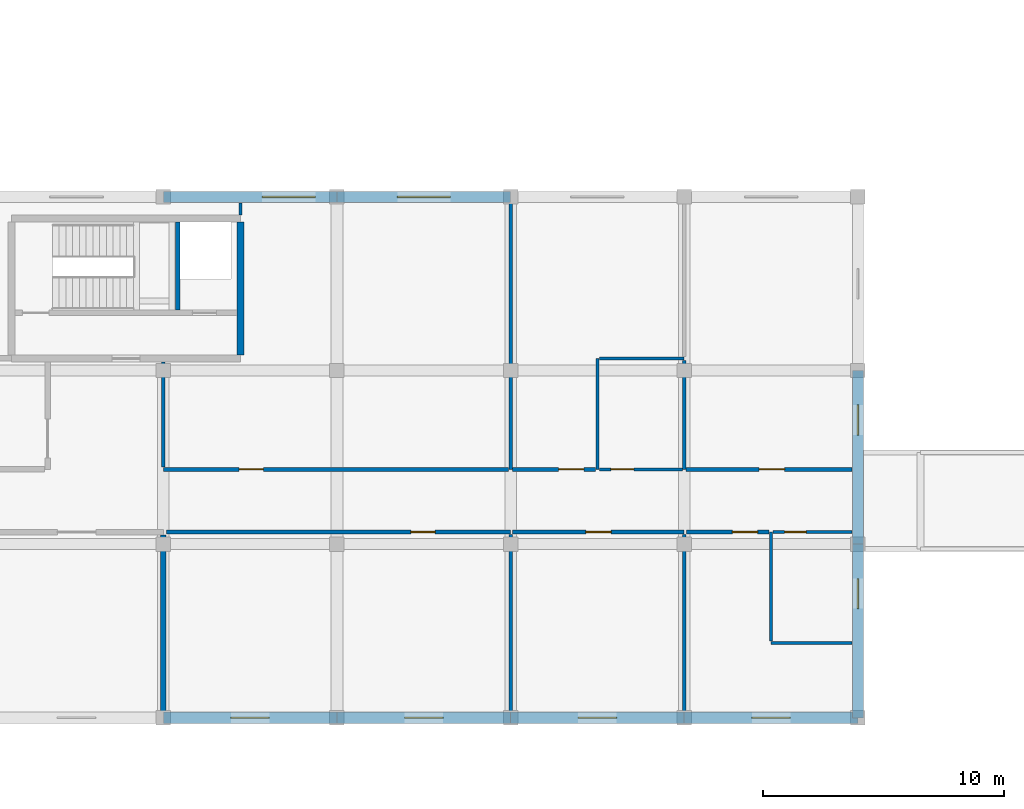
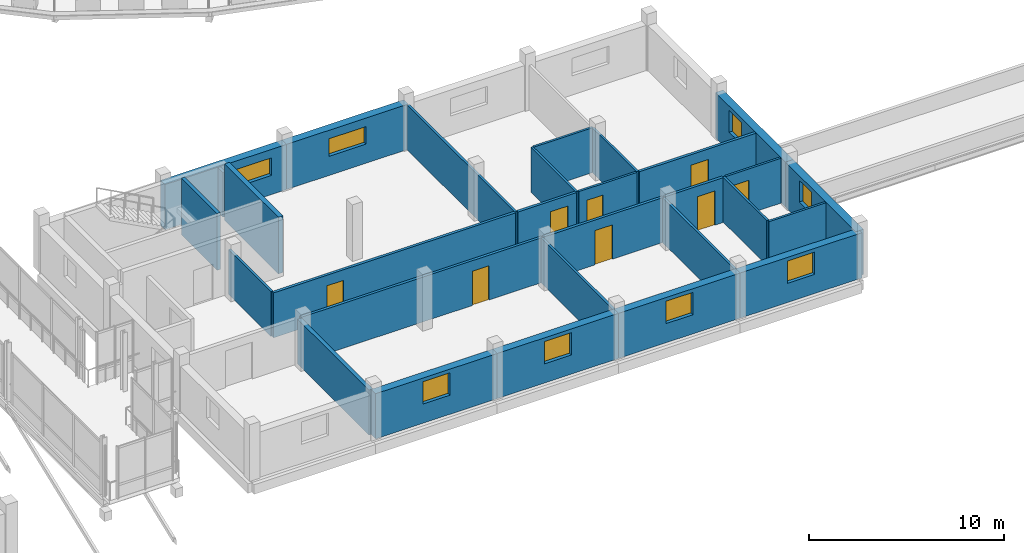
# One storey, part 110 of 128: 29 walls, 8 doors, 8 windows, 16 openings.
"""IFC4 building model written with IfcOpenShell, lengths in metres."""

from ifc_helpers import new_model, si_unit, direction, frame, frame_2d, origin, place, context, subcontext, project, spatial, rectangle, extrude, material, layer, layer_set, type_object, element, fill, save


model = new_model("IFC4")

# Units and contexts
model_context = context("Model", 3, precision=1e-05, world=origin(), true_north=direction((0.0, 1.0)))
body_context = subcontext(model_context, "Body", "Model", "MODEL_VIEW")
ifc_project = project(units=[si_unit("LENGTHUNIT", "METRE"), si_unit("AREAUNIT", "SQUARE_METRE"), si_unit("VOLUMEUNIT", "CUBIC_METRE"), si_unit("PLANEANGLEUNIT", "RADIAN"), si_unit("MASSUNIT", "GRAM", prefix="KILO")], contexts=[model_context])

# Site, building, storey
site_placement = place(None, origin())
site = spatial("IfcSite", under=ifc_project, at=site_placement, CompositionType="ELEMENT")
building_placement = place(site_placement, origin())
building = spatial("IfcBuilding", under=site, at=building_placement, Name="Zornivar Specialist Clinic", CompositionType="ELEMENT")
storey_placement = place(building_placement, frame((0.0, 0.0, 4.5)))
storey = spatial("IfcBuildingStorey", under=building, at=storey_placement, Name="L01", CompositionType="ELEMENT", Elevation=4.5)

# Wall, opening, window
ifc_material_1 = material(Name="Barium-shielded concrete C35/45", Category="concrete")
ifc_layer_1 = layer(ifc_material_1, 0.4599609375)
ifc_layer_set_1 = layer_set([ifc_layer_1], Name="Barium-shielded concrete C35/45")
wall_type_1 = type_object("IfcWallType", Name="EW-IMG-SHIELD-460", PredefinedType="SOLIDWALL", material=ifc_layer_set_1)
wall_1_placement = place(storey_placement, frame((64.800048828125, 0.0, 0.0), z_axis=(0.0, 0.0, 1.0), x_axis=(1.0, 0.0, 0.0)))
wall_1 = element("IfcWall", 1, at=wall_1_placement, inside=storey, type_object=wall_type_1, Name="ew:V3:L01:01", PredefinedType="SOLIDWALL", context=body_context, shape_type="SweptSolid", body=[
    extrude(rectangle(XDim=7.199951171875, YDim=0.4599609375, at=frame_2d((3.60009765625, 0.0))), origin(), (0.0, 0.0, 1.0), 2.830078125),
])
opening_1_placement = place(wall_1_placement, frame((2.800048828125, 0.0, 1.199951171875)))
opening_1 = element("IfcOpeningElement", 2, at=opening_1_placement, cuts=wall_1, Name="Opening W-12", PredefinedType="OPENING", context=body_context, shape_type="SweptSolid", body=[
    extrude(rectangle(XDim=1.60009765625, YDim=1.39990234375, at=frame_2d((0.800048828125, 0.699951171875))), frame((0.0, 0.239990234375, 0.0), z_axis=(0.0, -1.0, 0.0), x_axis=(1.0, 0.0, 0.0)), (0.0, 0.0, 1.0), 0.47998046875),
])
ifc_material_2 = material(Name="Triple-Glazed Aluminium-Timber Window Glass", Category="wood")
window_type_1 = type_object("IfcWindowType", Name="WIN-IMG-SOUTH-1600x1400", PartitioningType="SINGLE_PANEL", PredefinedType="WINDOW", material=ifc_material_2)
window_1_placement = place(opening_1_placement, origin())
window_1 = element("IfcWindow", 3, at=window_1_placement, inside=storey, type_object=window_type_1, Name="win:V3:L01:01", OverallHeight=1.39990234375, OverallWidth=1.60009765625, PartitioningType="SINGLE_PANEL", PredefinedType="WINDOW", context=body_context, shape_type="SweptSolid", body=[
    extrude(rectangle(XDim=1.60009765625, YDim=1.39990234375, at=frame_2d((0.800048828125, 0.699951171875))), frame((0.0, 0.030029296875, 0.0), z_axis=(0.0, -1.0, 0.0), x_axis=(1.0, 0.0, 0.0)), (0.0, 0.0, 1.0), 0.06005859375),
])
fill(opening_1, window_1)

wall_2_placement = place(storey_placement, frame((72.0, 0.0, 0.0), z_axis=(0.0, 0.0, 1.0), x_axis=(1.0, 0.0, 0.0)))
wall_2 = element("IfcWall", 4, at=wall_2_placement, inside=storey, type_object=wall_type_1, Name="ew:V3:L01:02", PredefinedType="SOLIDWALL", context=body_context, shape_type="SweptSolid", body=[
    extrude(rectangle(XDim=7.199951171875, YDim=0.4599609375, at=frame_2d((3.60009765625, 0.0))), origin(), (0.0, 0.0, 1.0), 2.830078125),
])
opening_2_placement = place(wall_2_placement, frame((2.800048828125, 0.0, 1.199951171875)))
opening_2 = element("IfcOpeningElement", 5, at=opening_2_placement, cuts=wall_2, Name="Opening W-12", PredefinedType="OPENING", context=body_context, shape_type="SweptSolid", body=[
    extrude(rectangle(XDim=1.60009765625, YDim=1.39990234375, at=frame_2d((0.800048828125, 0.699951171875))), frame((0.0, 0.239990234375, 0.0), z_axis=(0.0, -1.0, 0.0), x_axis=(1.0, 0.0, 0.0)), (0.0, 0.0, 1.0), 0.47998046875),
])
window_2_placement = place(opening_2_placement, origin())
window_2 = element("IfcWindow", 6, at=window_2_placement, inside=storey, type_object=window_type_1, Name="win:V3:L01:02", OverallHeight=1.39990234375, OverallWidth=1.60009765625, PartitioningType="SINGLE_PANEL", PredefinedType="WINDOW", context=body_context, shape_type="SweptSolid", body=[
    extrude(rectangle(XDim=1.60009765625, YDim=1.39990234375, at=frame_2d((0.800048828125, 0.699951171875))), frame((0.0, 0.030029296875, 0.0), z_axis=(0.0, -1.0, 0.0), x_axis=(1.0, 0.0, 0.0)), (0.0, 0.0, 1.0), 0.06005859375),
])
fill(opening_2, window_2)

wall_3_placement = place(storey_placement, frame((79.199951171875, 0.0, 0.0), z_axis=(0.0, 0.0, 1.0), x_axis=(1.0, 0.0, 0.0)))
wall_3 = element("IfcWall", 7, at=wall_3_placement, inside=storey, type_object=wall_type_1, Name="ew:V3:L01:03", PredefinedType="SOLIDWALL", context=body_context, shape_type="SweptSolid", body=[
    extrude(rectangle(XDim=7.199951171875, YDim=0.4599609375, at=frame_2d((3.60009765625, 0.0))), origin(), (0.0, 0.0, 1.0), 2.830078125),
])
opening_3_placement = place(wall_3_placement, frame((2.800048828125, 0.0, 1.199951171875)))
opening_3 = element("IfcOpeningElement", 8, at=opening_3_placement, cuts=wall_3, Name="Opening W-12", PredefinedType="OPENING", context=body_context, shape_type="SweptSolid", body=[
    extrude(rectangle(XDim=1.60009765625, YDim=1.39990234375, at=frame_2d((0.800048828125, 0.699951171875))), frame((0.0, 0.239990234375, 0.0), z_axis=(0.0, -1.0, 0.0), x_axis=(1.0, 0.0, 0.0)), (0.0, 0.0, 1.0), 0.47998046875),
])
window_3_placement = place(opening_3_placement, origin())
window_3 = element("IfcWindow", 9, at=window_3_placement, inside=storey, type_object=window_type_1, Name="win:V3:L01:03", OverallHeight=1.39990234375, OverallWidth=1.60009765625, PartitioningType="SINGLE_PANEL", PredefinedType="WINDOW", context=body_context, shape_type="SweptSolid", body=[
    extrude(rectangle(XDim=1.60009765625, YDim=1.39990234375, at=frame_2d((0.800048828125, 0.699951171875))), frame((0.0, 0.030029296875, 0.0), z_axis=(0.0, -1.0, 0.0), x_axis=(1.0, 0.0, 0.0)), (0.0, 0.0, 1.0), 0.06005859375),
])
fill(opening_3, window_3)

wall_4_placement = place(storey_placement, frame((86.39990234375, 0.0, 0.0), z_axis=(0.0, 0.0, 1.0), x_axis=(1.0, 0.0, 0.0)))
wall_4 = element("IfcWall", 10, at=wall_4_placement, inside=storey, type_object=wall_type_1, Name="ew:V3:L01:04", PredefinedType="SOLIDWALL", context=body_context, shape_type="SweptSolid", body=[
    extrude(rectangle(XDim=7.2001953125, YDim=0.4599609375, at=frame_2d((3.60009765625, 0.0))), origin(), (0.0, 0.0, 1.0), 2.830078125),
])
opening_4_placement = place(wall_4_placement, frame((2.800048828125, 0.0, 1.199951171875)))
opening_4 = element("IfcOpeningElement", 11, at=opening_4_placement, cuts=wall_4, Name="Opening W-12", PredefinedType="OPENING", context=body_context, shape_type="SweptSolid", body=[
    extrude(rectangle(XDim=1.60009765625, YDim=1.39990234375, at=frame_2d((0.800048828125, 0.699951171875))), frame((0.0, 0.239990234375, 0.0), z_axis=(0.0, -1.0, 0.0), x_axis=(1.0, 0.0, 0.0)), (0.0, 0.0, 1.0), 0.47998046875),
])
window_4_placement = place(opening_4_placement, origin())
window_4 = element("IfcWindow", 12, at=window_4_placement, inside=storey, type_object=window_type_1, Name="win:V3:L01:04", OverallHeight=1.39990234375, OverallWidth=1.60009765625, PartitioningType="SINGLE_PANEL", PredefinedType="WINDOW", context=body_context, shape_type="SweptSolid", body=[
    extrude(rectangle(XDim=1.60009765625, YDim=1.39990234375, at=frame_2d((0.800048828125, 0.699951171875))), frame((0.0, 0.030029296875, 0.0), z_axis=(0.0, -1.0, 0.0), x_axis=(1.0, 0.0, 0.0)), (0.0, 0.0, 1.0), 0.06005859375),
])
fill(opening_4, window_4)

wall_5_placement = place(storey_placement, frame((93.60009765625, 0.0, 0.0), z_axis=(0.0, 0.0, 1.0), x_axis=(0.0, 1.0, 0.0)))
wall_5 = element("IfcWall", 13, at=wall_5_placement, inside=storey, type_object=wall_type_1, Name="ew:V3:L01:05", PredefinedType="SOLIDWALL", context=body_context, shape_type="SweptSolid", body=[
    extrude(rectangle(XDim=7.199951171875, YDim=0.4599609375, at=frame_2d((3.60009765625, 0.0))), origin(), (0.0, 0.0, 1.0), 2.830078125),
])
opening_5_placement = place(wall_5_placement, frame((4.52490234375, 0.0, 1.199951171875)))
opening_5 = element("IfcOpeningElement", 14, at=opening_5_placement, cuts=wall_5, Name="Opening W-14", PredefinedType="OPENING", context=body_context, shape_type="SweptSolid", body=[
    extrude(rectangle(XDim=1.25, YDim=1.35009765625, at=frame_2d((0.625, 0.675048828125))), frame((0.0, 0.239990234375, 0.0), z_axis=(0.0, -1.0, 0.0), x_axis=(1.0, 0.0, 0.0)), (0.0, 0.0, 1.0), 0.47998046875),
])
ifc_material_3 = material(Name="Triple-Glazed Aluminium-Timber Window Glass", Category="wood")
window_type_2 = type_object("IfcWindowType", Name="WIN-IMG-CTRL-1250x1350", PartitioningType="SINGLE_PANEL", PredefinedType="WINDOW", material=ifc_material_3)
window_5_placement = place(opening_5_placement, origin())
window_5 = element("IfcWindow", 15, at=window_5_placement, inside=storey, type_object=window_type_2, Name="win:V3:L01:05", OverallHeight=1.35009765625, OverallWidth=1.25, PartitioningType="SINGLE_PANEL", PredefinedType="WINDOW", context=body_context, shape_type="SweptSolid", body=[
    extrude(rectangle(XDim=1.25, YDim=1.35009765625, at=frame_2d((0.625, 0.675048828125))), frame((0.0, 0.030029296875, 0.0), z_axis=(0.0, -1.0, 0.0), x_axis=(1.0, 0.0, 0.0)), (0.0, 0.0, 1.0), 0.06005859375),
])
fill(opening_5, window_5)

wall_6_placement = place(storey_placement, frame((93.60009765625, 7.199951171875, 0.0), z_axis=(0.0, 0.0, 1.0), x_axis=(0.0, 1.0, 0.0)))
wall_6 = element("IfcWall", 16, at=wall_6_placement, inside=storey, type_object=wall_type_1, Name="ew:V3:L01:06", PredefinedType="SOLIDWALL", context=body_context, shape_type="SweptSolid", body=[
    extrude(rectangle(XDim=7.199951171875, YDim=0.4599609375, at=frame_2d((3.60009765625, 0.0))), origin(), (0.0, 0.0, 1.0), 2.830078125),
])
opening_6_placement = place(wall_6_placement, frame((4.52490234375, 0.0, 1.199951171875)))
opening_6 = element("IfcOpeningElement", 17, at=opening_6_placement, cuts=wall_6, Name="Opening W-14", PredefinedType="OPENING", context=body_context, shape_type="SweptSolid", body=[
    extrude(rectangle(XDim=1.25, YDim=1.35009765625, at=frame_2d((0.625, 0.675048828125))), frame((0.0, 0.239990234375, 0.0), z_axis=(0.0, -1.0, 0.0), x_axis=(1.0, 0.0, 0.0)), (0.0, 0.0, 1.0), 0.47998046875),
])
window_6_placement = place(opening_6_placement, origin())
window_6 = element("IfcWindow", 18, at=window_6_placement, inside=storey, type_object=window_type_2, Name="win:V3:L01:06", OverallHeight=1.35009765625, OverallWidth=1.25, PartitioningType="SINGLE_PANEL", PredefinedType="WINDOW", context=body_context, shape_type="SweptSolid", body=[
    extrude(rectangle(XDim=1.25, YDim=1.35009765625, at=frame_2d((0.625, 0.675048828125))), frame((0.0, 0.030029296875, 0.0), z_axis=(0.0, -1.0, 0.0), x_axis=(1.0, 0.0, 0.0)), (0.0, 0.0, 1.0), 0.06005859375),
])
fill(opening_6, window_6)

wall_7_placement = place(storey_placement, frame((79.199951171875, 21.60009765625, 0.0), z_axis=(0.0, 0.0, 1.0), x_axis=(-1.0, 0.0, 0.0)))
wall_7 = element("IfcWall", 19, at=wall_7_placement, inside=storey, type_object=wall_type_1, Name="ew:V3:L01:10", PredefinedType="SOLIDWALL", context=body_context, shape_type="SweptSolid", body=[
    extrude(rectangle(XDim=7.199951171875, YDim=0.4599609375, at=frame_2d((3.60009765625, 0.0))), origin(), (0.0, 0.0, 1.0), 2.830078125),
])
opening_7_placement = place(wall_7_placement, frame((2.5, 0.0, 1.199951171875)))
opening_7 = element("IfcOpeningElement", 20, at=opening_7_placement, cuts=wall_7, Name="Opening W-13", PredefinedType="OPENING", context=body_context, shape_type="SweptSolid", body=[
    extrude(rectangle(XDim=2.199951171875, YDim=1.10009765625, at=frame_2d((1.10009765625, 0.550048828125))), frame((0.0, 0.239990234375, 0.0), z_axis=(0.0, -1.0, 0.0), x_axis=(1.0, 0.0, 0.0)), (0.0, 0.0, 1.0), 0.47998046875),
])
ifc_material_4 = material(Name="Triple-Glazed Aluminium-Timber Window Glass", Category="wood")
window_type_3 = type_object("IfcWindowType", Name="WIN-IMG-CLER-2200x1100", PartitioningType="SINGLE_PANEL", PredefinedType="WINDOW", material=ifc_material_4)
window_7_placement = place(opening_7_placement, origin())
window_7 = element("IfcWindow", 21, at=window_7_placement, inside=storey, type_object=window_type_3, Name="win:V3:L01:10", OverallHeight=1.10009765625, OverallWidth=2.199951171875, PartitioningType="SINGLE_PANEL", PredefinedType="WINDOW", context=body_context, shape_type="SweptSolid", body=[
    extrude(rectangle(XDim=2.199951171875, YDim=1.10009765625, at=frame_2d((1.10009765625, 0.550048828125))), frame((0.0, 0.030029296875, 0.0), z_axis=(0.0, -1.0, 0.0), x_axis=(1.0, 0.0, 0.0)), (0.0, 0.0, 1.0), 0.06005859375),
])
fill(opening_7, window_7)

wall_8_placement = place(storey_placement, frame((72.0, 21.60009765625, 0.0), z_axis=(0.0, 0.0, 1.0), x_axis=(-1.0, 0.0, 0.0)))
wall_8 = element("IfcWall", 22, at=wall_8_placement, inside=storey, type_object=wall_type_1, Name="ew:V3:L01:11", PredefinedType="SOLIDWALL", context=body_context, shape_type="SweptSolid", body=[
    extrude(rectangle(XDim=7.199951171875, YDim=0.4599609375, at=frame_2d((3.60009765625, 0.0))), origin(), (0.0, 0.0, 1.0), 2.830078125),
])
opening_8_placement = place(wall_8_placement, frame((0.89990234375, 0.0, 1.199951171875)))
opening_8 = element("IfcOpeningElement", 23, at=opening_8_placement, cuts=wall_8, Name="Opening W-13", PredefinedType="OPENING", context=body_context, shape_type="SweptSolid", body=[
    extrude(rectangle(XDim=2.199951171875, YDim=1.10009765625, at=frame_2d((1.10009765625, 0.550048828125))), frame((0.0, 0.239990234375, 0.0), z_axis=(0.0, -1.0, 0.0), x_axis=(1.0, 0.0, 0.0)), (0.0, 0.0, 1.0), 0.47998046875),
])
window_8_placement = place(opening_8_placement, origin())
window_8 = element("IfcWindow", 24, at=window_8_placement, inside=storey, type_object=window_type_3, Name="win:V3:L01:11", OverallHeight=1.10009765625, OverallWidth=2.199951171875, PartitioningType="SINGLE_PANEL", PredefinedType="WINDOW", context=body_context, shape_type="SweptSolid", body=[
    extrude(rectangle(XDim=2.199951171875, YDim=1.10009765625, at=frame_2d((1.10009765625, 0.550048828125))), frame((0.0, 0.030029296875, 0.0), z_axis=(0.0, -1.0, 0.0), x_axis=(1.0, 0.0, 0.0)), (0.0, 0.0, 1.0), 0.06005859375),
])
fill(opening_8, window_8)

# Walls
ifc_material_5 = material(Name="Acoustic Clinical Stud Partition")
ifc_layer_2 = layer(ifc_material_5, 0.139892578125)
ifc_layer_set_2 = layer_set([ifc_layer_2], Name="Acoustic Clinical Stud Partition")
wall_type_2 = type_object("IfcWallType", Name="IW-CLIN-140", PredefinedType="PARTITIONING", material=ifc_layer_set_2)
wall_9_placement = place(storey_placement, frame((79.199951171875, 7.60595703125, 0.0), z_axis=(0.0, 0.0, 1.0), x_axis=(0.0, -1.0, 0.0)))
element("IfcWall", 25, at=wall_9_placement, inside=storey, type_object=wall_type_2, Name="iw:L01:097", PredefinedType="PARTITIONING", context=body_context, shape_type="SweptSolid", body=[
    extrude(rectangle(XDim=7.36083984375, YDim=0.139892578125, at=frame_2d((3.680419921875, 0.0))), origin(), (0.0, 0.0, 1.0), 2.81005859375),
])
wall_10_placement = place(storey_placement, frame((79.199951171875, 21.35498046875, 0.0), z_axis=(0.0, 0.0, 1.0), x_axis=(0.0, -1.0, 0.0)))
element("IfcWall", 26, at=wall_10_placement, inside=storey, type_object=wall_type_2, Name="iw:L01:098", PredefinedType="PARTITIONING", context=body_context, shape_type="SweptSolid", body=[
    extrude(rectangle(XDim=11.054931640625, YDim=0.139892578125, at=frame_2d((5.52734375, 0.0))), origin(), (0.0, 0.0, 1.0), 2.81005859375),
])
wall_11_placement = place(storey_placement, frame((64.800048828125, 10.39404296875, 0.0), z_axis=(0.0, 0.0, 1.0), x_axis=(0.0, 1.0, 0.0)))
element("IfcWall", 27, at=wall_11_placement, inside=storey, type_object=wall_type_2, Name="iw:L01:100", PredefinedType="PARTITIONING", context=body_context, shape_type="SweptSolid", body=[
    extrude(rectangle(XDim=4.35107421875, YDim=0.139892578125, at=frame_2d((2.175537109375, 0.0))), origin(), (0.0, 0.0, 1.0), 2.81005859375),
])
wall_12_placement = place(storey_placement, frame((68.0, 20.85498046875, 0.0), z_axis=(0.0, 0.0, 1.0), x_axis=(0.0, 1.0, 0.0)))
element("IfcWall", 28, at=wall_12_placement, inside=storey, type_object=wall_type_2, Name="iw:L01:101", PredefinedType="PARTITIONING", context=body_context, shape_type="SweptSolid", body=[
    extrude(rectangle(XDim=0.5, YDim=0.139892578125, at=frame_2d((0.25, 0.0))), origin(), (0.0, 0.0, 1.0), 2.81005859375),
])
wall_13_placement = place(storey_placement, frame((86.39990234375, 7.60595703125, 0.0), z_axis=(0.0, 0.0, 1.0), x_axis=(0.0, -1.0, 0.0)))
element("IfcWall", 29, at=wall_13_placement, inside=storey, type_object=wall_type_2, Name="iw:L01:103", PredefinedType="PARTITIONING", context=body_context, shape_type="SweptSolid", body=[
    extrude(rectangle(XDim=7.36083984375, YDim=0.139892578125, at=frame_2d((3.680419921875, 0.0))), origin(), (0.0, 0.0, 1.0), 2.81005859375),
])

# Wall, opening, door
ifc_material_6 = material(Name="Gypsum Fire-Rated Double Stud Partition")
ifc_layer_3 = layer(ifc_material_6, 0.159912109375)
ifc_layer_set_3 = layer_set([ifc_layer_3], Name="Gypsum Fire-Rated Double Stud Partition")
wall_type_3 = type_object("IfcWallType", Name="IW-CORR-EI60-160", PredefinedType="PARTITIONING", material=ifc_layer_set_3)
wall_14_placement = place(storey_placement, frame((64.928955078125, 7.699951171875, 0.0), z_axis=(0.0, 0.0, 1.0), x_axis=(1.0, 0.0, 0.0)))
wall_14 = element("IfcWall", 30, at=wall_14_placement, inside=storey, type_object=wall_type_3, Name="iw:L01:096", PredefinedType="PARTITIONING", context=body_context, shape_type="SweptSolid", body=[
    extrude(rectangle(XDim=14.27099609375, YDim=0.159912109375, at=frame_2d((7.135498046875, 0.0))), origin(), (0.0, 0.0, 1.0), 2.81005859375),
])
opening_9_placement = place(wall_14_placement, frame((10.135986328125, 0.0, 0.0)))
opening_9 = element("IfcOpeningElement", 31, at=opening_9_placement, cuts=wall_14, Name="Opening ID-04", PredefinedType="OPENING", context=body_context, shape_type="SweptSolid", body=[
    extrude(rectangle(XDim=1.0, YDim=2.14990234375, at=frame_2d((0.5, 1.074951171875))), frame((0.0, 0.08984375, 0.0), z_axis=(0.0, -1.0, 0.0), x_axis=(1.0, 0.0, 0.0)), (0.0, 0.0, 1.0), 0.179931640625),
])
ifc_material_7 = material(Name="Solid-Core Hygienic Laminate Timber Door", Category="wood")
door_type_1 = type_object("IfcDoorType", Name="ID-EXAM-1000x2150", OperationType="NOTDEFINED", PredefinedType="DOOR", material=ifc_material_7)
door_1_placement = place(opening_9_placement, origin())
door_1 = element("IfcDoor", 32, at=door_1_placement, inside=storey, type_object=door_type_1, Name="door:space:V3:L01:rm:02", OperationType="SINGLE_SWING_RIGHT", OverallHeight=2.14990234375, OverallWidth=1.0, PredefinedType="DOOR", context=body_context, shape_type="SweptSolid", body=[
    extrude(rectangle(XDim=1.0, YDim=2.14990234375, at=frame_2d((0.5, 1.074951171875))), frame((0.0, 0.02490234375, 0.0), z_axis=(0.0, -1.0, 0.0), x_axis=(1.0, 0.0, 0.0)), (0.0, 0.0, 1.0), 0.050048828125),
])
fill(opening_9, door_1)

wall_15_placement = place(storey_placement, frame((79.115966796875, 10.300048828125, 0.0), z_axis=(0.0, 0.0, 1.0), x_axis=(-1.0, 0.0, 0.0)))
wall_15 = element("IfcWall", 33, at=wall_15_placement, inside=storey, type_object=wall_type_3, Name="iw:L01:099", PredefinedType="PARTITIONING", context=body_context, shape_type="SweptSolid", body=[
    extrude(rectangle(XDim=14.31591796875, YDim=0.159912109375, at=frame_2d((7.157958984375, 0.0))), origin(), (0.0, 0.0, 1.0), 2.81005859375),
])
opening_10_placement = place(wall_15_placement, frame((10.1708984375, 0.0, 0.0)))
opening_10 = element("IfcOpeningElement", 34, at=opening_10_placement, cuts=wall_15, Name="Opening ID-04", PredefinedType="OPENING", context=body_context, shape_type="SweptSolid", body=[
    extrude(rectangle(XDim=1.0, YDim=2.14990234375, at=frame_2d((0.5, 1.074951171875))), frame((0.0, 0.08984375, 0.0), z_axis=(0.0, -1.0, 0.0), x_axis=(1.0, 0.0, 0.0)), (0.0, 0.0, 1.0), 0.179931640625),
])
door_2_placement = place(opening_10_placement, origin())
door_2 = element("IfcDoor", 35, at=door_2_placement, inside=storey, type_object=door_type_1, Name="door:space:V3:L01:rm:03", OperationType="SINGLE_SWING_LEFT", OverallHeight=2.14990234375, OverallWidth=1.0, PredefinedType="DOOR", context=body_context, shape_type="SweptSolid", body=[
    extrude(rectangle(XDim=1.0, YDim=2.14990234375, at=frame_2d((0.5, 1.074951171875))), frame((0.0, 0.02490234375, 0.0), z_axis=(0.0, -1.0, 0.0), x_axis=(1.0, 0.0, 0.0)), (0.0, 0.0, 1.0), 0.050048828125),
])
fill(opening_10, door_2)

wall_16_placement = place(storey_placement, frame((79.283935546875, 7.699951171875, 0.0), z_axis=(0.0, 0.0, 1.0), x_axis=(1.0, 0.0, 0.0)))
wall_16 = element("IfcWall", 36, at=wall_16_placement, inside=storey, type_object=wall_type_3, Name="iw:L01:102", PredefinedType="PARTITIONING", context=body_context, shape_type="SweptSolid", body=[
    extrude(rectangle(XDim=7.115966796875, YDim=0.159912109375, at=frame_2d((3.55810546875, 0.0))), origin(), (0.0, 0.0, 1.0), 2.81005859375),
])
opening_11_placement = place(wall_16_placement, frame((3.032958984375, 0.0, 0.0)))
opening_11 = element("IfcOpeningElement", 37, at=opening_11_placement, cuts=wall_16, Name="Opening ID-03", PredefinedType="OPENING", context=body_context, shape_type="SweptSolid", body=[
    extrude(rectangle(XDim=1.050048828125, YDim=2.14990234375, at=frame_2d((0.52490234375, 1.074951171875))), frame((0.0, 0.08984375, 0.0), z_axis=(0.0, -1.0, 0.0), x_axis=(1.0, 0.0, 0.0)), (0.0, 0.0, 1.0), 0.179931640625),
])
ifc_material_8 = material(Name="Solid-Core Hygienic Laminate Timber Door", Category="wood")
door_type_2 = type_object("IfcDoorType", Name="ID-CONS-1050x2150", OperationType="NOTDEFINED", PredefinedType="DOOR", material=ifc_material_8)
door_3_placement = place(opening_11_placement, origin())
door_3 = element("IfcDoor", 38, at=door_3_placement, inside=storey, type_object=door_type_2, Name="door:space:V3:L01:rm:04", OperationType="SINGLE_SWING_RIGHT", OverallHeight=2.14990234375, OverallWidth=1.050048828125, PredefinedType="DOOR", context=body_context, shape_type="SweptSolid", body=[
    extrude(rectangle(XDim=1.050048828125, YDim=2.14990234375, at=frame_2d((0.52490234375, 1.074951171875))), frame((0.0, 0.02490234375, 0.0), z_axis=(0.0, -1.0, 0.0), x_axis=(1.0, 0.0, 0.0)), (0.0, 0.0, 1.0), 0.050048828125),
])
fill(opening_11, door_3)

wall_17_placement = place(storey_placement, frame((82.720947265625, 10.300048828125, 0.0), z_axis=(0.0, 0.0, 1.0), x_axis=(-1.0, 0.0, 0.0)))
wall_17 = element("IfcWall", 39, at=wall_17_placement, inside=storey, type_object=wall_type_3, Name="iw:L01:108", PredefinedType="PARTITIONING", context=body_context, shape_type="SweptSolid", body=[
    extrude(rectangle(XDim=3.43701171875, YDim=0.159912109375, at=frame_2d((1.718505859375, 0.0))), origin(), (0.0, 0.0, 1.0), 2.81005859375),
])
opening_12_placement = place(wall_17_placement, frame((0.47998046875, 0.0, 0.0)))
opening_12 = element("IfcOpeningElement", 40, at=opening_12_placement, cuts=wall_17, Name="Opening ID-03", PredefinedType="OPENING", context=body_context, shape_type="SweptSolid", body=[
    extrude(rectangle(XDim=1.050048828125, YDim=2.14990234375, at=frame_2d((0.52490234375, 1.074951171875))), frame((0.0, 0.08984375, 0.0), z_axis=(0.0, -1.0, 0.0), x_axis=(1.0, 0.0, 0.0)), (0.0, 0.0, 1.0), 0.179931640625),
])
door_4_placement = place(opening_12_placement, origin())
door_4 = element("IfcDoor", 41, at=door_4_placement, inside=storey, type_object=door_type_2, Name="door:space:V3:L01:rm:05b", OperationType="SINGLE_SWING_RIGHT", OverallHeight=2.14990234375, OverallWidth=1.050048828125, PredefinedType="DOOR", context=body_context, shape_type="SweptSolid", body=[
    extrude(rectangle(XDim=1.050048828125, YDim=2.14990234375, at=frame_2d((0.52490234375, 1.074951171875))), frame((0.0, 0.02490234375, 0.0), z_axis=(0.0, -1.0, 0.0), x_axis=(1.0, 0.0, 0.0)), (0.0, 0.0, 1.0), 0.050048828125),
])
fill(opening_12, door_4)

wall_18_placement = place(storey_placement, frame((86.48388671875, 7.699951171875, 0.0), z_axis=(0.0, 0.0, 1.0), x_axis=(1.0, 0.0, 0.0)))
wall_18 = element("IfcWall", 42, at=wall_18_placement, inside=storey, type_object=wall_type_3, Name="iw:L01:113", PredefinedType="PARTITIONING", context=body_context, shape_type="SweptSolid", body=[
    extrude(rectangle(XDim=3.43701171875, YDim=0.159912109375, at=frame_2d((1.718505859375, 0.0))), origin(), (0.0, 0.0, 1.0), 2.81005859375),
])
opening_13_placement = place(wall_18_placement, frame((1.906982421875, 0.0, 0.0)))
opening_13 = element("IfcOpeningElement", 43, at=opening_13_placement, cuts=wall_18, Name="Opening ID-03", PredefinedType="OPENING", context=body_context, shape_type="SweptSolid", body=[
    extrude(rectangle(XDim=1.050048828125, YDim=2.14990234375, at=frame_2d((0.52490234375, 1.074951171875))), frame((0.0, 0.08984375, 0.0), z_axis=(0.0, -1.0, 0.0), x_axis=(1.0, 0.0, 0.0)), (0.0, 0.0, 1.0), 0.179931640625),
])
door_5_placement = place(opening_13_placement, origin())
door_5 = element("IfcDoor", 44, at=door_5_placement, inside=storey, type_object=door_type_2, Name="door:space:V3:L01:rm:07b", OperationType="SINGLE_SWING_RIGHT", OverallHeight=2.14990234375, OverallWidth=1.050048828125, PredefinedType="DOOR", context=body_context, shape_type="SweptSolid", body=[
    extrude(rectangle(XDim=1.050048828125, YDim=2.14990234375, at=frame_2d((0.52490234375, 1.074951171875))), frame((0.0, 0.02490234375, 0.0), z_axis=(0.0, -1.0, 0.0), x_axis=(1.0, 0.0, 0.0)), (0.0, 0.0, 1.0), 0.050048828125),
])
fill(opening_13, door_5)

wall_19_placement = place(storey_placement, frame((93.35498046875, 10.300048828125, 0.0), z_axis=(0.0, 0.0, 1.0), x_axis=(-1.0, 0.0, 0.0)))
wall_19 = element("IfcWall", 45, at=wall_19_placement, inside=storey, type_object=wall_type_3, Name="iw:L01:114", PredefinedType="PARTITIONING", context=body_context, shape_type="SweptSolid", body=[
    extrude(rectangle(XDim=6.8759765625, YDim=0.159912109375, at=frame_2d((3.43798828125, 0.0))), origin(), (0.0, 0.0, 1.0), 2.81005859375),
])
opening_14_placement = place(wall_19_placement, frame((2.797119140625, 0.0, 0.0)))
opening_14 = element("IfcOpeningElement", 46, at=opening_14_placement, cuts=wall_19, Name="Opening ID-03", PredefinedType="OPENING", context=body_context, shape_type="SweptSolid", body=[
    extrude(rectangle(XDim=1.050048828125, YDim=2.14990234375, at=frame_2d((0.52490234375, 1.074951171875))), frame((0.0, 0.08984375, 0.0), z_axis=(0.0, -1.0, 0.0), x_axis=(1.0, 0.0, 0.0)), (0.0, 0.0, 1.0), 0.179931640625),
])
door_6_placement = place(opening_14_placement, origin())
door_6 = element("IfcDoor", 47, at=door_6_placement, inside=storey, type_object=door_type_2, Name="door:space:V3:L01:rm:09", OperationType="SINGLE_SWING_LEFT", OverallHeight=2.14990234375, OverallWidth=1.050048828125, PredefinedType="DOOR", context=body_context, shape_type="SweptSolid", body=[
    extrude(rectangle(XDim=1.050048828125, YDim=2.14990234375, at=frame_2d((0.52490234375, 1.074951171875))), frame((0.0, 0.02490234375, 0.0), z_axis=(0.0, -1.0, 0.0), x_axis=(1.0, 0.0, 0.0)), (0.0, 0.0, 1.0), 0.050048828125),
])
fill(opening_14, door_6)

# Walls
ifc_material_9 = material(Name="Barium-Plaster Shielded Diagnostic Partition")
ifc_layer_4 = layer(ifc_material_9, 0.22998046875)
ifc_layer_set_4 = layer_set([ifc_layer_4], Name="Barium-Plaster Shielded Diagnostic Partition")
wall_type_4 = type_object("IfcWallType", Name="IW-IMG-LEAD-230", PredefinedType="PARTITIONING", material=ifc_layer_set_4)
wall_20_placement = place(storey_placement, frame((64.800048828125, 7.571044921875, 0.0), z_axis=(0.0, 0.0, 1.0), x_axis=(0.0, -1.0, 0.0)))
element("IfcWall", 48, at=wall_20_placement, inside=storey, type_object=wall_type_4, Name="iw:L01:092", PredefinedType="PARTITIONING", context=body_context, shape_type="SweptSolid", body=[
    extrude(rectangle(XDim=7.325927734375, YDim=0.22998046875, at=frame_2d((3.6630859375, 0.0))), origin(), (0.0, 0.0, 1.0), 2.81005859375),
])
ifc_material_10 = material(Name="Moisture-Resistant Sanitary Partition")
ifc_layer_5 = layer(ifc_material_10, 0.1298828125)
ifc_layer_set_5 = layer_set([ifc_layer_5], Name="Moisture-Resistant Sanitary Partition")
wall_type_5 = type_object("IfcWallType", Name="IW-WET-130", PredefinedType="PARTITIONING", material=ifc_layer_set_5)
wall_21_placement = place(storey_placement, frame((82.800048828125, 10.300048828125, 0.0), z_axis=(0.0, 0.0, 1.0), x_axis=(0.0, 1.0, 0.0)))
element("IfcWall", 49, at=wall_21_placement, inside=storey, type_object=wall_type_5, Name="iw:L01:104", PredefinedType="PARTITIONING", context=body_context, shape_type="SweptSolid", body=[
    extrude(rectangle(XDim=4.599853515625, YDim=0.1298828125, at=frame_2d((2.2998046875, 0.0))), origin(), (0.0, 0.0, 1.0), 2.81005859375),
])
wall_22_placement = place(storey_placement, frame((82.87890625, 14.89990234375, 0.0), z_axis=(0.0, 0.0, 1.0), x_axis=(1.0, 0.0, 0.0)))
element("IfcWall", 50, at=wall_22_placement, inside=storey, type_object=wall_type_5, Name="iw:L01:105", PredefinedType="PARTITIONING", context=body_context, shape_type="SweptSolid", body=[
    extrude(rectangle(XDim=3.52099609375, YDim=0.1298828125, at=frame_2d((1.760498046875, 0.0))), origin(), (0.0, 0.0, 1.0), 2.81005859375),
])
wall_23_placement = place(storey_placement, frame((86.39990234375, 14.821044921875, 0.0), z_axis=(0.0, 0.0, 1.0), x_axis=(0.0, -1.0, 0.0)))
element("IfcWall", 51, at=wall_23_placement, inside=storey, type_object=wall_type_5, Name="iw:L01:106", PredefinedType="PARTITIONING", context=body_context, shape_type="SweptSolid", body=[
    extrude(rectangle(XDim=4.52099609375, YDim=0.1298828125, at=frame_2d((2.260498046875, 0.0))), origin(), (0.0, 0.0, 1.0), 2.81005859375),
])

# Wall, opening, door
wall_24_placement = place(storey_placement, frame((86.321044921875, 10.300048828125, 0.0), z_axis=(0.0, 0.0, 1.0), x_axis=(-1.0, 0.0, 0.0)))
wall_24 = element("IfcWall", 52, at=wall_24_placement, inside=storey, type_object=wall_type_5, Name="iw:L01:107", PredefinedType="PARTITIONING", context=body_context, shape_type="SweptSolid", body=[
    extrude(rectangle(XDim=3.442138671875, YDim=0.1298828125, at=frame_2d((1.72119140625, 0.0))), origin(), (0.0, 0.0, 1.0), 2.81005859375),
])
opening_15_placement = place(wall_24_placement, frame((2.011962890625, 0.0, 0.0)))
opening_15 = element("IfcOpeningElement", 53, at=opening_15_placement, cuts=wall_24, Name="Opening ID-07", PredefinedType="OPENING", context=body_context, shape_type="SweptSolid", body=[
    extrude(rectangle(XDim=0.949951171875, YDim=2.10009765625, at=frame_2d((0.47509765625, 1.050048828125))), frame((0.0, 0.074951171875, 0.0), z_axis=(0.0, -1.0, 0.0), x_axis=(1.0, 0.0, 0.0)), (0.0, 0.0, 1.0), 0.14990234375),
])
ifc_material_11 = material(Name="Solid-Core Hygienic Laminate Timber Door", Category="wood")
door_type_3 = type_object("IfcDoorType", Name="ID-WC-ACC-0950x2100", OperationType="NOTDEFINED", PredefinedType="DOOR", material=ifc_material_11)
door_7_placement = place(opening_15_placement, origin())
door_7 = element("IfcDoor", 54, at=door_7_placement, inside=storey, type_object=door_type_3, Name="door:space:V3:L01:rm:05", OperationType="SINGLE_SWING_LEFT", OverallHeight=2.10009765625, OverallWidth=0.949951171875, PredefinedType="DOOR", context=body_context, shape_type="SweptSolid", body=[
    extrude(rectangle(XDim=0.949951171875, YDim=2.10009765625, at=frame_2d((0.47509765625, 1.050048828125))), frame((0.0, 0.02490234375, 0.0), z_axis=(0.0, -1.0, 0.0), x_axis=(1.0, 0.0, 0.0)), (0.0, 0.0, 1.0), 0.050048828125),
])
fill(opening_15, door_7)

# Walls
wall_25_placement = place(storey_placement, frame((93.35498046875, 3.10009765625, 0.0), z_axis=(0.0, 0.0, 1.0), x_axis=(-1.0, 0.0, 0.0)))
element("IfcWall", 55, at=wall_25_placement, inside=storey, type_object=wall_type_5, Name="iw:L01:110", PredefinedType="PARTITIONING", context=body_context, shape_type="SweptSolid", body=[
    extrude(rectangle(XDim=3.35498046875, YDim=0.1298828125, at=frame_2d((1.677490234375, 0.0))), origin(), (0.0, 0.0, 1.0), 2.81005859375),
])
wall_26_placement = place(storey_placement, frame((90.0, 3.178955078125, 0.0), z_axis=(0.0, 0.0, 1.0), x_axis=(0.0, 1.0, 0.0)))
element("IfcWall", 56, at=wall_26_placement, inside=storey, type_object=wall_type_5, Name="iw:L01:111", PredefinedType="PARTITIONING", context=body_context, shape_type="SweptSolid", body=[
    extrude(rectangle(XDim=4.52099609375, YDim=0.1298828125, at=frame_2d((2.260498046875, 0.0))), origin(), (0.0, 0.0, 1.0), 2.81005859375),
])

# Wall, opening, door
wall_27_placement = place(storey_placement, frame((90.0791015625, 7.699951171875, 0.0), z_axis=(0.0, 0.0, 1.0), x_axis=(1.0, 0.0, 0.0)))
wall_27 = element("IfcWall", 57, at=wall_27_placement, inside=storey, type_object=wall_type_5, Name="iw:L01:112", PredefinedType="PARTITIONING", context=body_context, shape_type="SweptSolid", body=[
    extrude(rectangle(XDim=3.27587890625, YDim=0.1298828125, at=frame_2d((1.637939453125, 0.0))), origin(), (0.0, 0.0, 1.0), 2.81005859375),
])
opening_16_placement = place(wall_27_placement, frame((0.47998046875, 0.0, 0.0)))
opening_16 = element("IfcOpeningElement", 58, at=opening_16_placement, cuts=wall_27, Name="Opening ID-08", PredefinedType="OPENING", context=body_context, shape_type="SweptSolid", body=[
    extrude(rectangle(XDim=0.89990234375, YDim=2.10009765625, at=frame_2d((0.449951171875, 1.050048828125))), frame((0.0, 0.074951171875, 0.0), z_axis=(0.0, -1.0, 0.0), x_axis=(1.0, 0.0, 0.0)), (0.0, 0.0, 1.0), 0.14990234375),
])
ifc_material_12 = material(Name="Solid-Core Hygienic Laminate Timber Door", Category="wood")
door_type_4 = type_object("IfcDoorType", Name="ID-WC-STD-0900x2100", OperationType="NOTDEFINED", PredefinedType="DOOR", material=ifc_material_12)
door_8_placement = place(opening_16_placement, origin())
door_8 = element("IfcDoor", 59, at=door_8_placement, inside=storey, type_object=door_type_4, Name="door:space:V3:L01:rm:07", OperationType="SINGLE_SWING_LEFT", OverallHeight=2.10009765625, OverallWidth=0.89990234375, PredefinedType="DOOR", context=body_context, shape_type="SweptSolid", body=[
    extrude(rectangle(XDim=0.89990234375, YDim=2.10009765625, at=frame_2d((0.449951171875, 1.050048828125))), frame((0.0, 0.02490234375, 0.0), z_axis=(0.0, -1.0, 0.0), x_axis=(1.0, 0.0, 0.0)), (0.0, 0.0, 1.0), 0.050048828125),
])
fill(opening_16, door_8)

# Walls
ifc_material_13 = material(Name="Concrete C35/45", Category="concrete")
ifc_layer_6 = layer(ifc_material_13, 0.280029296875)
ifc_layer_set_6 = layer_set([ifc_layer_6], Name="Concrete C35/45")
wall_type_6 = type_object("IfcWallType", Name="SW-CORE-280", PredefinedType="SHEAR", material=ifc_layer_set_6)
wall_28_placement = place(storey_placement, frame((68.0, 15.0400390625, 0.0), z_axis=(0.0, 0.0, 1.0), x_axis=(0.0, 1.0, 0.0)))
element("IfcWall", 60, at=wall_28_placement, inside=storey, type_object=wall_type_6, Name="sw:C5:L01:w1", PredefinedType="SHEAR", context=body_context, shape_type="SweptSolid", body=[
    extrude(rectangle(XDim=5.52001953125, YDim=0.280029296875, at=frame_2d((2.760009765625, 0.0))), origin(), (0.0, 0.0, 1.0), 3.550048828125),
])
ifc_material_14 = material(Name="Concrete C30/37", Category="concrete")
ifc_layer_7 = layer(ifc_material_14, 0.199951171875)
ifc_layer_set_7 = layer_set([ifc_layer_7], Name="Concrete C30/37")
wall_type_7 = type_object("IfcWallType", Name="SW-LIFT-200", PredefinedType="SHEAR", material=ifc_layer_set_7)
wall_29_placement = place(storey_placement, frame((65.39990234375, 16.89990234375, 0.0), z_axis=(0.0, 0.0, 1.0), x_axis=(0.0, 1.0, 0.0)))
element("IfcWall", 61, at=wall_29_placement, inside=storey, type_object=wall_type_7, Name="sw:C5:L01:sdiv", PredefinedType="SHEAR", context=body_context, shape_type="SweptSolid", body=[
    extrude(rectangle(XDim=3.66015625, YDim=0.199951171875, at=frame_2d((1.830078125, 0.0))), origin(), (0.0, 0.0, 1.0), 3.550048828125),
])

save(model, "model.ifc")
